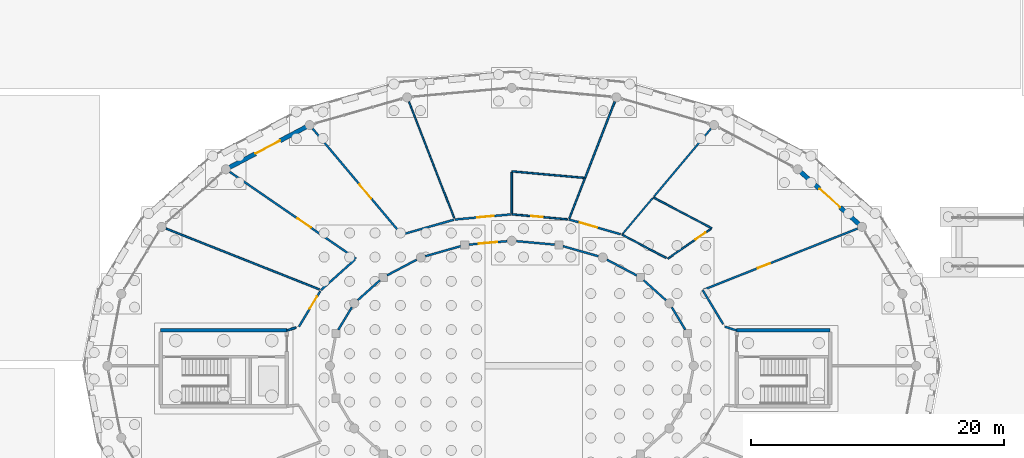
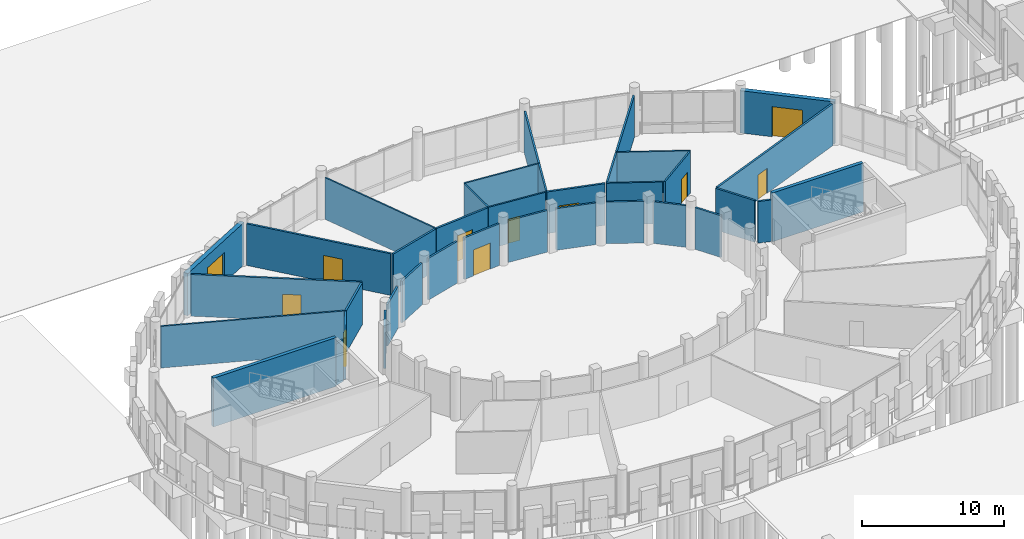
# One storey, part 81 of 98: 37 walls, 11 doors, 11 openings.
"""IFC4 building model written with IfcOpenShell, lengths in metres."""

import ifcopenshell
import ifcopenshell.guid

model = None  # the IFC model being written
_history = None  # IfcOwnerHistory: only IFC2X3 demands one
_inside = {}  # id of a spatial element -> (the spatial element, [elements in it])
_under = {}  # id of a project, library or spatial element -> (it, [spatial elements below it])
_declared = {}  # id of a project -> (the project, [libraries it declares])
_typed = {}  # id of a type object -> (the type object, [elements of that type])
_made_of = {}  # id of a material, layer set ... -> (it, [elements and type objects made of it])


def new_model(schema):
    """Start an empty IFC model of exactly this schema.

    Asked for "IFC4X3", IfcOpenShell would pick the latest addendum, in which some entities
    have other attributes; the version numbers below select the first issue.
    IFC2X3 requires an IfcOwnerHistory on every rooted entity: one is made here for all.
    """
    global model, _history
    if schema == "IFC4X3":
        model = ifcopenshell.file(schema_version=(4, 3, 0, 0))
    else:
        model = ifcopenshell.file(schema=schema)
    _inside.clear()
    _under.clear()
    _declared.clear()
    _typed.clear()
    _made_of.clear()
    _history = None
    if model.schema == "IFC2X3":
        org = make("IfcOrganization", Name="unknown")
        user = make(
            "IfcPersonAndOrganization",
            ThePerson=make("IfcPerson", FamilyName="unknown"),
            TheOrganization=org,
        )
        app = make(
            "IfcApplication",
            ApplicationDeveloper=org,
            Version="unknown",
            ApplicationFullName="unknown",
            ApplicationIdentifier="unknown",
        )
        _history = make(
            "IfcOwnerHistory",
            OwningUser=user,
            OwningApplication=app,
            ChangeAction="ADDED",
            CreationDate=0,
        )
    return model


def make(cls, **values):
    """One entity of the class cls with the attributes given. An attribute that is None is left unset."""
    return model.create_entity(
        cls, **{name: value for name, value in values.items() if value is not None}
    )


def rooted(cls, **values):
    """An entity with a GlobalId (a new one), such as an element, a storey or a relation."""
    return make(cls, GlobalId=ifcopenshell.guid.new(), OwnerHistory=_history, **values)


def si_unit(unit_type, name, prefix=None):
    """IfcSIUnit, for example si_unit("LENGTHUNIT", "METRE", prefix="MILLI")."""
    return make("IfcSIUnit", UnitType=unit_type, Prefix=prefix, Name=name)


def assignment(units):
    """IfcUnitAssignment: the units of a project."""
    return None if units is None else make("IfcUnitAssignment", Units=units)


def point(xyz):
    """IfcCartesianPoint."""
    return None if xyz is None else make("IfcCartesianPoint", Coordinates=xyz)


def direction(xyz):
    """IfcDirection."""
    return None if xyz is None else make("IfcDirection", DirectionRatios=xyz)


def frame(location, z_axis=None, x_axis=None):
    """IfcAxis2Placement3D, a coordinate frame: its origin and axes. An axis left out is left unset."""
    return make(
        "IfcAxis2Placement3D",
        Location=point(location),
        Axis=direction(z_axis),
        RefDirection=direction(x_axis),
    )


def frame_2d(location, x_axis=None):
    """IfcAxis2Placement2D, a coordinate frame in the plane: its origin and x axis."""
    return make(
        "IfcAxis2Placement2D", Location=point(location), RefDirection=direction(x_axis)
    )


def origin():
    """The frame at (0, 0, 0) with its axes left unset."""
    return frame((0.0, 0.0, 0.0))


def place(relative_to, where):
    """IfcLocalPlacement: puts the frame where relative to a parent placement (None: the world)."""
    return make(
        "IfcLocalPlacement", PlacementRelTo=relative_to, RelativePlacement=where
    )


def context(
    kind, dimensions, precision=None, world=None, true_north=None, identifier=None
):
    """IfcGeometricRepresentationContext, for example the 3D "Model" context."""
    return make(
        "IfcGeometricRepresentationContext",
        ContextIdentifier=identifier,
        ContextType=kind,
        CoordinateSpaceDimension=dimensions,
        Precision=precision,
        WorldCoordinateSystem=world,
        TrueNorth=true_north,
    )


def subcontext(parent, identifier, kind, view, scale=None):
    """IfcGeometricRepresentationSubContext, for example "Body" below "Model"."""
    return make(
        "IfcGeometricRepresentationSubContext",
        ContextIdentifier=identifier,
        ContextType=kind,
        ParentContext=parent,
        TargetScale=scale,
        TargetView=view,
    )


def project(units=None, contexts=None):
    """IfcProject with its units and contexts."""
    return rooted(
        "IfcProject",
        Name="project",
        RepresentationContexts=contexts,
        UnitsInContext=assignment(units),
    )


def spatial(cls, under=None, at=None, **own):
    """A site, building, storey or space (cls), placed at a placement, below another one or the project."""
    s = rooted(cls, ObjectPlacement=at, **own)
    if under is not None:
        _under.setdefault(under.id(), (under, []))[1].append(s)
    return s


def profile(cls, at=None, kind="AREA", **sizes):
    """A parametric profile (cls). Its sizes go by their IFC names, for example OverallWidth=200.0."""
    return make(cls, ProfileType=kind, Position=at, **sizes)


def rectangle(**sizes):
    """IfcRectangleProfileDef."""
    return profile("IfcRectangleProfileDef", **sizes)


def extrude(swept, where, along, depth):
    """IfcExtrudedAreaSolid: the profile swept, set in the frame where, extruded along a direction by depth."""
    return make(
        "IfcExtrudedAreaSolid",
        SweptArea=swept,
        Position=where,
        ExtrudedDirection=direction(along),
        Depth=depth,
    )


def shape(context_of_items, identifier, shape_type, items):
    """IfcShapeRepresentation: the items that make up one representation, for example the "Body"."""
    return make(
        "IfcShapeRepresentation",
        ContextOfItems=context_of_items,
        RepresentationIdentifier=identifier,
        RepresentationType=shape_type,
        Items=items,
    )


def material(Name=None, Category=None):
    """IfcMaterial."""
    return make("IfcMaterial", Name=Name, Category=Category)


def layer(
    of_material, thickness, ventilated=None, Name=None, Category=None, Priority=None
):
    """IfcMaterialLayer: one layer of a wall or slab, of a material (None: an air gap)."""
    return make(
        "IfcMaterialLayer",
        Material=of_material,
        LayerThickness=thickness,
        IsVentilated=ventilated,
        Name=Name,
        Category=Category,
        Priority=Priority,
    )


def layer_set(layers, Name=None):
    """IfcMaterialLayerSet."""
    return make("IfcMaterialLayerSet", MaterialLayers=layers, LayerSetName=Name)


def made_of(thing, what):
    """Note that an element or type object is made of a material, layer set ...; save() writes the relation."""
    if what is not None:
        _made_of.setdefault(what.id(), (what, []))[1].append(thing)
    return thing


def type_object(cls, material=None, **own):
    """A type object (cls), such as IfcWallType, which elements share."""
    return made_of(rooted(cls, **own), material)


def element(
    cls,
    number,
    at=None,
    inside=None,
    cuts=None,
    type_object=None,
    material=None,
    context=None,
    identifier="Body",
    shape_type=None,
    held_by="IfcProductDefinitionShape",
    body=None,
    shapes=None,
    **own,
):
    """One element of the class cls, such as IfcWall. Its Tag is "e" and its number.

    at: its placement. inside: the storey or other place that contains it. cuts: it is an
    opening in that element (IfcRelVoidsElement). A single representation is given by context,
    identifier, shape_type and body (its items); several are given by shapes. held_by: the class
    of the entity that holds the representations. save() writes the other relations.
    """
    e = rooted(cls, Tag="e%d" % number, ObjectPlacement=at, **own)
    if body is not None:
        shapes = [shape(context, identifier, shape_type, body)]
    if shapes is not None:
        e.Representation = make(held_by, Representations=shapes)
    if inside is not None:
        _inside.setdefault(inside.id(), (inside, []))[1].append(e)
    if cuts is not None:
        rooted(
            "IfcRelVoidsElement", RelatingBuildingElement=cuts, RelatedOpeningElement=e
        )
    if type_object is not None:
        _typed.setdefault(type_object.id(), (type_object, []))[1].append(e)
    return made_of(e, material)


def fill(opening, filler):
    """IfcRelFillsElement: the door or window that sits in an opening."""
    return rooted(
        "IfcRelFillsElement",
        RelatingOpeningElement=opening,
        RelatedBuildingElement=filler,
    )


def aggregate(whole, parts):
    """IfcRelAggregates: a whole, such as a stair, and the parts it consists of."""
    return rooted("IfcRelAggregates", RelatingObject=whole, RelatedObjects=parts)


def save(model, path):
    """Write the relations noted so far, then the file.

    IfcRelAggregates (storeys below a building ...), IfcRelContainedInSpatialStructure (elements
    in a storey), IfcRelDefinesByType, IfcRelAssociatesMaterial and IfcRelDeclares: one each for
    every whole, place, type object, material and project.
    """
    for whole, parts in _under.values():
        aggregate(whole, parts)
    for where, things in _inside.values():
        rooted(
            "IfcRelContainedInSpatialStructure",
            RelatedElements=things,
            RelatingStructure=where,
        )
    for kind, things in _typed.values():
        rooted("IfcRelDefinesByType", RelatedObjects=things, RelatingType=kind)
    for what, things in _made_of.values():
        rooted("IfcRelAssociatesMaterial", RelatedObjects=things, RelatingMaterial=what)
    for by, libraries in _declared.values():
        rooted("IfcRelDeclares", RelatingContext=by, RelatedDefinitions=libraries)
    model.write(path)


model = new_model("IFC4")

# Units and contexts
model_context = context("Model", 3, precision=1e-05, world=origin(), true_north=direction((0.0, 1.0)))
body_context = subcontext(model_context, "Body", "Model", "MODEL_VIEW")
ifc_project = project(units=[si_unit("LENGTHUNIT", "METRE"), si_unit("AREAUNIT", "SQUARE_METRE"), si_unit("VOLUMEUNIT", "CUBIC_METRE"), si_unit("PLANEANGLEUNIT", "RADIAN"), si_unit("MASSUNIT", "GRAM", prefix="KILO")], contexts=[model_context])

# Site, building, storey
site_placement = place(None, origin())
site = spatial("IfcSite", under=ifc_project, at=site_placement, CompositionType="ELEMENT")
building_placement = place(site_placement, origin())
building = spatial("IfcBuilding", under=site, at=building_placement, Name="Zornivar Specialist Clinic", CompositionType="ELEMENT")
storey_placement = place(building_placement, origin())
storey = spatial("IfcBuildingStorey", under=building, at=storey_placement, Name="L00", CompositionType="ELEMENT", Elevation=0.0)

# Wall, opening, door
ifc_material_1 = material(Name="Masonry Drum Limestone Portal Wall", Category="masonry")
ifc_layer_1 = layer(ifc_material_1, 0.35009765625)
ifc_layer_set_1 = layer_set([ifc_layer_1], Name="Masonry Drum Limestone Portal Wall")
wall_type_1 = type_object("IfcWallType", Name="EW-DRUM-350", PredefinedType="SOLIDWALL", material=ifc_layer_set_1)
wall_1_placement = place(storey_placement, frame((121.31298828125, 68.60009765625, 0.0), z_axis=(0.0, 0.0, 1.0), x_axis=(-0.744853105459, 0.66722848507, 0.0)))
wall_1 = element("IfcWall", 1, at=wall_1_placement, inside=storey, type_object=wall_type_1, Name="ew:V1:L00:c02", PredefinedType="SOLIDWALL", context=body_context, shape_type="SweptSolid", body=[
    extrude(rectangle(XDim=6.828125, YDim=0.35009765625, at=frame_2d((3.4140625, 0.0))), origin(), (0.0, 0.0, 1.0), 3.64990234375),
])
opening_1_placement = place(wall_1_placement, frame((2.31396484375, 0.0, 0.0)))
opening_1 = element("IfcOpeningElement", 2, at=opening_1_placement, cuts=wall_1, Name="Opening ED-01", PredefinedType="OPENING", context=body_context, shape_type="SweptSolid", body=[
    extrude(rectangle(XDim=2.199951171875, YDim=2.60009765625, at=frame_2d((1.10009765625, 1.300048828125))), frame((0.0, 0.18505859375, 0.0), z_axis=(0.0, -1.0, 0.0), x_axis=(1.0, 0.0, 0.0)), (0.0, 0.0, 1.0), 0.3701171875),
])
ifc_material_2 = material(Name="Thermally Broken Glazed Aluminium Door", Category="aluminium")
door_type_1 = type_object("IfcDoorType", Name="ED-MAIN-2200x2600", OperationType="NOTDEFINED", PredefinedType="DOOR", material=ifc_material_2)
door_1_placement = place(opening_1_placement, frame((2.199951171875, 0.0, 0.0), z_axis=(0.0, 0.0, 1.0), x_axis=(-1.0, 0.0, 0.0)))
door_1 = element("IfcDoor", 3, at=door_1_placement, inside=storey, type_object=door_type_1, Name="door:V1:L00:c02", OperationType="DOUBLE_DOOR_SINGLE_SWING", OverallHeight=2.60009765625, OverallWidth=2.199951171875, PredefinedType="DOOR", context=body_context, shape_type="SweptSolid", body=[
    extrude(rectangle(XDim=2.199951171875, YDim=2.60009765625, at=frame_2d((1.10009765625, 1.300048828125))), frame((0.0, 0.02490234375, 0.0), z_axis=(0.0, -1.0, 0.0), x_axis=(1.0, 0.0, 0.0)), (0.0, 0.0, 1.0), 0.050048828125),
])
fill(opening_1, door_1)

wall_2_placement = place(storey_placement, frame((77.60009765625, 76.653076171875, 0.0), z_axis=(0.0, 0.0, 1.0), x_axis=(-0.8844187475, -0.466694202954, 0.0)))
wall_2 = element("IfcWall", 4, at=wall_2_placement, inside=storey, type_object=wall_type_1, Name="ew:V1:L00:c08", PredefinedType="SOLIDWALL", context=body_context, shape_type="SweptSolid", body=[
    extrude(rectangle(XDim=7.4931640625, YDim=0.35009765625, at=frame_2d((3.74658203125, 0.0))), origin(), (0.0, 0.0, 1.0), 3.64990234375),
])
opening_2_placement = place(wall_2_placement, frame((2.64697265625, 0.0, 0.0)))
opening_2 = element("IfcOpeningElement", 5, at=opening_2_placement, cuts=wall_2, Name="Opening ED-01", PredefinedType="OPENING", context=body_context, shape_type="SweptSolid", body=[
    extrude(rectangle(XDim=2.199951171875, YDim=2.60009765625, at=frame_2d((1.10009765625, 1.300048828125))), frame((0.0, 0.18505859375, 0.0), z_axis=(0.0, -1.0, 0.0), x_axis=(1.0, 0.0, 0.0)), (0.0, 0.0, 1.0), 0.3701171875),
])
door_2_placement = place(opening_2_placement, frame((2.199951171875, 0.0, 0.0), z_axis=(0.0, 0.0, 1.0), x_axis=(-1.0, 0.0, 0.0)))
door_2 = element("IfcDoor", 6, at=door_2_placement, inside=storey, type_object=door_type_1, Name="door:V1:L00:c08", OperationType="DOUBLE_DOOR_SINGLE_SWING", OverallHeight=2.60009765625, OverallWidth=2.199951171875, PredefinedType="DOOR", context=body_context, shape_type="SweptSolid", body=[
    extrude(rectangle(XDim=2.199951171875, YDim=2.60009765625, at=frame_2d((1.10009765625, 1.300048828125))), frame((0.0, 0.02490234375, 0.0), z_axis=(0.0, -1.0, 0.0), x_axis=(1.0, 0.0, 0.0)), (0.0, 0.0, 1.0), 0.050048828125),
])
fill(opening_2, door_2)

# Walls
ifc_material_3 = material(Name="Acoustic Clinical Stud Partition")
ifc_layer_2 = layer(ifc_material_3, 0.139892578125)
ifc_layer_set_2 = layer_set([ifc_layer_2], Name="Acoustic Clinical Stud Partition")
wall_type_2 = type_object("IfcWallType", Name="IW-CLIN-140", PredefinedType="PARTITIONING", material=ifc_layer_set_2)
wall_3_placement = place(storey_placement, frame((109.362060546875, 76.3701171875, 0.0), z_axis=(0.0, 0.0, 1.0), x_axis=(-0.642983682644, -0.765879875603, 0.0)))
element("IfcWall", 7, at=wall_3_placement, inside=storey, type_object=wall_type_2, Name="iw:L00:032", PredefinedType="PARTITIONING", context=body_context, shape_type="SweptSolid", body=[
    extrude(rectangle(XDim=7.006591796875, YDim=0.139892578125, at=frame_2d((3.50341796875, 0.0))), origin(), (0.0, 0.0, 1.0), 3.590087890625),
])
wall_4_placement = place(storey_placement, frame((99.39892578125, 72.47900390625, 0.0), z_axis=(0.0, 0.0, 1.0), x_axis=(0.363214868858, 0.93170540357, 0.0)))
element("IfcWall", 8, at=wall_4_placement, inside=storey, type_object=wall_type_2, Name="iw:L00:035", PredefinedType="PARTITIONING", context=body_context, shape_type="SweptSolid", body=[
    extrude(rectangle(XDim=6.467529296875, YDim=0.139892578125, at=frame_2d((3.23388671875, 0.0))), origin(), (0.0, 0.0, 1.0), 3.590087890625),
])
wall_5_placement = place(storey_placement, frame((78.365966796875, 63.64697265625, 0.0), z_axis=(0.0, 0.0, 1.0), x_axis=(-0.929479211533, 0.368874498073, 0.0)))
element("IfcWall", 9, at=wall_5_placement, inside=storey, type_object=wall_type_2, Name="iw:L00:045", PredefinedType="PARTITIONING", context=body_context, shape_type="SweptSolid", body=[
    extrude(rectangle(XDim=13.0556640625, YDim=0.139892578125, at=frame_2d((6.52783203125, 0.0))), origin(), (0.0, 0.0, 1.0), 3.590087890625),
])
ifc_material_4 = material(Name="Gypsum Fire-Rated Double Stud Partition")
ifc_layer_3 = layer(ifc_material_4, 0.159912109375)
ifc_layer_set_3 = layer_set([ifc_layer_3], Name="Gypsum Fire-Rated Double Stud Partition")
wall_type_3 = type_object("IfcWallType", Name="IW-CORR-EI60-160", PredefinedType="PARTITIONING", material=ifc_layer_set_3)
wall_6_placement = place(storey_placement, frame((107.3359375, 60.448974609375, 0.0), z_axis=(0.0, 0.0, 1.0), x_axis=(-0.515771112958, 0.856726420182, 0.0)))
element("IfcWall", 10, at=wall_6_placement, inside=storey, type_object=wall_type_3, Name="iw:L00:001", PredefinedType="PARTITIONING", context=body_context, shape_type="SweptSolid", body=[
    extrude(rectangle(XDim=2.082275390625, YDim=0.159912109375, at=frame_2d((1.041015625, 0.0))), origin(), (0.0, 0.0, 1.0), 3.590087890625),
])
wall_7_placement = place(storey_placement, frame((105.794921875, 62.797119140625, 0.0), z_axis=(0.0, 0.0, 1.0), x_axis=(-0.744928255706, 0.667144582419, 0.0)))
element("IfcWall", 11, at=wall_7_placement, inside=storey, type_object=wall_type_3, Name="iw:L00:002", PredefinedType="PARTITIONING", context=body_context, shape_type="SweptSolid", body=[
    extrude(rectangle(XDim=2.36669921875, YDim=0.159912109375, at=frame_2d((1.183349609375, 0.0))), origin(), (0.0, 0.0, 1.0), 3.590087890625),
])
wall_8_placement = place(storey_placement, frame((103.486083984375, 64.756103515625, 0.0), z_axis=(0.0, 0.0, 1.0), x_axis=(-0.884419383508, 0.466692997672, 0.0)))
element("IfcWall", 12, at=wall_8_placement, inside=storey, type_object=wall_type_3, Name="iw:L00:003", PredefinedType="PARTITIONING", context=body_context, shape_type="SweptSolid", body=[
    extrude(rectangle(XDim=2.66748046875, YDim=0.159912109375, at=frame_2d((1.333740234375, 0.0))), origin(), (0.0, 0.0, 1.0), 3.590087890625),
])
wall_9_placement = place(storey_placement, frame((100.444091796875, 66.27490234375, 0.0), z_axis=(0.0, 0.0, 1.0), x_axis=(-0.961748689224, 0.273933310818, 0.0)))
element("IfcWall", 13, at=wall_9_placement, inside=storey, type_object=wall_type_3, Name="iw:L00:004", PredefinedType="PARTITIONING", context=body_context, shape_type="SweptSolid", body=[
    extrude(rectangle(XDim=2.90625, YDim=0.159912109375, at=frame_2d((1.453125, 0.0))), origin(), (0.0, 0.0, 1.0), 3.590087890625),
])
wall_10_placement = place(storey_placement, frame((96.992919921875, 67.193115234375, 0.0), z_axis=(0.0, 0.0, 1.0), x_axis=(-0.995924771152, 0.090187860632, 0.0)))
element("IfcWall", 14, at=wall_10_placement, inside=storey, type_object=wall_type_3, Name="iw:L00:005", PredefinedType="PARTITIONING", context=body_context, shape_type="SweptSolid", body=[
    extrude(rectangle(XDim=3.037353515625, YDim=0.159912109375, at=frame_2d((1.5185546875, 0.0))), origin(), (0.0, 0.0, 1.0), 3.590087890625),
])

# Wall, opening, door
wall_11_placement = place(storey_placement, frame((93.23193359375, 67.467041015625, 0.0), z_axis=(0.0, 0.0, 1.0), x_axis=(-0.995924771152, -0.090187860632, 0.0)))
wall_11 = element("IfcWall", 15, at=wall_11_placement, inside=storey, type_object=wall_type_3, Name="iw:L00:006", PredefinedType="PARTITIONING", context=body_context, shape_type="SweptSolid", body=[
    extrude(rectangle(XDim=3.037353515625, YDim=0.159912109375, at=frame_2d((1.5185546875, 0.0))), origin(), (0.0, 0.0, 1.0), 3.590087890625),
])
opening_3_placement = place(wall_11_placement, frame((0.7939453125, 0.0, 0.0)))
opening_3 = element("IfcOpeningElement", 16, at=opening_3_placement, cuts=wall_11, Name="Opening ID-11", PredefinedType="OPENING", context=body_context, shape_type="SweptSolid", body=[
    extrude(rectangle(XDim=1.449951171875, YDim=2.25, at=frame_2d((0.72509765625, 1.125))), frame((0.0, 0.08984375, 0.0), z_axis=(0.0, -1.0, 0.0), x_axis=(1.0, 0.0, 0.0)), (0.0, 0.0, 1.0), 0.179931640625),
])
ifc_material_5 = material(Name="Solid-Core Hygienic Laminate Timber Door", Category="wood")
door_type_2 = type_object("IfcDoorType", Name="ID-INFUS-1450x2250", OperationType="NOTDEFINED", PredefinedType="DOOR", material=ifc_material_5)
door_3_placement = place(opening_3_placement, origin())
door_3 = element("IfcDoor", 17, at=door_3_placement, inside=storey, type_object=door_type_2, Name="door:space:V1:L00:hall", OperationType="DOUBLE_DOOR_SINGLE_SWING", OverallHeight=2.25, OverallWidth=1.449951171875, PredefinedType="DOOR", context=body_context, shape_type="SweptSolid", body=[
    extrude(rectangle(XDim=1.449951171875, YDim=2.25, at=frame_2d((0.72509765625, 1.125))), frame((0.0, 0.02490234375, 0.0), z_axis=(0.0, -1.0, 0.0), x_axis=(1.0, 0.0, 0.0)), (0.0, 0.0, 1.0), 0.050048828125),
])
fill(opening_3, door_3)

# Walls
wall_12_placement = place(storey_placement, frame((89.551025390625, 67.071044921875, 0.0), z_axis=(0.0, 0.0, 1.0), x_axis=(-0.961742384931, -0.273955443506, 0.0)))
element("IfcWall", 18, at=wall_12_placement, inside=storey, type_object=wall_type_3, Name="iw:L00:007", PredefinedType="PARTITIONING", context=body_context, shape_type="SweptSolid", body=[
    extrude(rectangle(XDim=2.906005859375, YDim=0.159912109375, at=frame_2d((1.453125, 0.0))), origin(), (0.0, 0.0, 1.0), 3.590087890625),
])
wall_13_placement = place(storey_placement, frame((86.072998046875, 66.0009765625, 0.0), z_axis=(0.0, 0.0, 1.0), x_axis=(-0.884399446426, -0.46673077803, 0.0)))
element("IfcWall", 19, at=wall_13_placement, inside=storey, type_object=wall_type_3, Name="iw:L00:008", PredefinedType="PARTITIONING", context=body_context, shape_type="SweptSolid", body=[
    extrude(rectangle(XDim=2.667236328125, YDim=0.159912109375, at=frame_2d((1.33349609375, 0.0))), origin(), (0.0, 0.0, 1.0), 3.590087890625),
])
wall_14_placement = place(storey_placement, frame((83.16796875, 64.376953125, 0.0), z_axis=(0.0, 0.0, 1.0), x_axis=(-0.744723202555, -0.667373472335, 0.0)))
element("IfcWall", 20, at=wall_14_placement, inside=storey, type_object=wall_type_3, Name="iw:L00:009", PredefinedType="PARTITIONING", context=body_context, shape_type="SweptSolid", body=[
    extrude(rectangle(XDim=2.3671875, YDim=0.159912109375, at=frame_2d((1.18359375, 0.0))), origin(), (0.0, 0.0, 1.0), 3.590087890625),
])
wall_15_placement = place(storey_placement, frame((80.93798828125, 62.23291015625, 0.0), z_axis=(0.0, 0.0, 1.0), x_axis=(-0.515771112958, -0.856726420182, 0.0)))
element("IfcWall", 21, at=wall_15_placement, inside=storey, type_object=wall_type_3, Name="iw:L00:010", PredefinedType="PARTITIONING", context=body_context, shape_type="SweptSolid", body=[
    extrude(rectangle(XDim=2.082275390625, YDim=0.159912109375, at=frame_2d((1.041015625, 0.0))), origin(), (0.0, 0.0, 1.0), 3.590087890625),
])
wall_16_placement = place(storey_placement, frame((111.39990234375, 60.39990234375, 0.0), z_axis=(0.0, 0.0, 1.0), x_axis=(-0.953076237522, 0.302730384122, 0.0)))
element("IfcWall", 22, at=wall_16_placement, inside=storey, type_object=wall_type_3, Name="iw:L00:024", PredefinedType="PARTITIONING", context=body_context, shape_type="SweptSolid", body=[
    extrude(rectangle(XDim=1.000732421875, YDim=0.159912109375, at=frame_2d((0.50048828125, 0.0))), origin(), (0.0, 0.0, 1.0), 3.590087890625),
])
wall_17_placement = place(storey_placement, frame((110.325927734375, 60.903076171875, 0.0), z_axis=(0.0, 0.0, 1.0), x_axis=(-0.516060018324, 0.856552425417, 0.0)))
element("IfcWall", 23, at=wall_17_placement, inside=storey, type_object=wall_type_3, Name="iw:L00:025", PredefinedType="PARTITIONING", context=body_context, shape_type="SweptSolid", body=[
    extrude(rectangle(XDim=3.142822265625, YDim=0.159912109375, at=frame_2d((1.5712890625, 0.0))), origin(), (0.0, 0.0, 1.0), 3.590087890625),
])

# Wall, opening, door
wall_18_placement = place(storey_placement, frame((108.804931640625, 63.635009765625, 0.0), z_axis=(0.0, 0.0, 1.0), x_axis=(0.929435882849, 0.36898365773, 0.0)))
wall_18 = element("IfcWall", 24, at=wall_18_placement, inside=storey, type_object=wall_type_3, Name="iw:L00:026", PredefinedType="PARTITIONING", context=body_context, shape_type="SweptSolid", body=[
    extrude(rectangle(XDim=13.087646484375, YDim=0.159912109375, at=frame_2d((6.5439453125, 0.0))), origin(), (0.0, 0.0, 1.0), 3.590087890625),
])
opening_4_placement = place(wall_18_placement, frame((4.573974609375, 0.0, 0.0)))
opening_4 = element("IfcOpeningElement", 25, at=opening_4_placement, cuts=wall_18, Name="Opening ID-03", PredefinedType="OPENING", context=body_context, shape_type="SweptSolid", body=[
    extrude(rectangle(XDim=1.050048828125, YDim=2.14990234375, at=frame_2d((0.52490234375, 1.074951171875))), frame((0.0, 0.08984375, 0.0), z_axis=(0.0, -1.0, 0.0), x_axis=(1.0, 0.0, 0.0)), (0.0, 0.0, 1.0), 0.179931640625),
])
ifc_material_6 = material(Name="Solid-Core Hygienic Laminate Timber Door", Category="wood")
door_type_3 = type_object("IfcDoorType", Name="ID-CONS-1050x2150", OperationType="NOTDEFINED", PredefinedType="DOOR", material=ifc_material_6)
door_4_placement = place(opening_4_placement, origin())
door_4 = element("IfcDoor", 26, at=door_4_placement, inside=storey, type_object=door_type_3, Name="door:space:V1:L00:rm:01", OperationType="SINGLE_SWING_RIGHT", OverallHeight=2.14990234375, OverallWidth=1.050048828125, PredefinedType="DOOR", context=body_context, shape_type="SweptSolid", body=[
    extrude(rectangle(XDim=1.050048828125, YDim=2.14990234375, at=frame_2d((0.52490234375, 1.074951171875))), frame((0.0, 0.02490234375, 0.0), z_axis=(0.0, -1.0, 0.0), x_axis=(1.0, 0.0, 0.0)), (0.0, 0.0, 1.0), 0.050048828125),
])
fill(opening_4, door_4)

wall_19_placement = place(storey_placement, frame((102.201904296875, 68.01806640625, 0.0), z_axis=(0.0, 0.0, 1.0), x_axis=(-0.961841952324, 0.27360566286, 0.0)))
wall_19 = element("IfcWall", 27, at=wall_19_placement, inside=storey, type_object=wall_type_3, Name="iw:L00:033", PredefinedType="PARTITIONING", context=body_context, shape_type="SweptSolid", body=[
    extrude(rectangle(XDim=4.25, YDim=0.159912109375, at=frame_2d((2.125, 0.0))), origin(), (0.0, 0.0, 1.0), 3.590087890625),
])
opening_5_placement = place(wall_19_placement, frame((1.910888671875, 0.0, 0.0)))
opening_5 = element("IfcOpeningElement", 28, at=opening_5_placement, cuts=wall_19, Name="Opening ID-11", PredefinedType="OPENING", context=body_context, shape_type="SweptSolid", body=[
    extrude(rectangle(XDim=1.449951171875, YDim=2.25, at=frame_2d((0.72509765625, 1.125))), frame((0.0, 0.08984375, 0.0), z_axis=(0.0, -1.0, 0.0), x_axis=(1.0, 0.0, 0.0)), (0.0, 0.0, 1.0), 0.179931640625),
])
door_5_placement = place(opening_5_placement, origin())
door_5 = element("IfcDoor", 29, at=door_5_placement, inside=storey, type_object=door_type_2, Name="door:space:V1:L00:rm:03", OperationType="DOUBLE_DOOR_SINGLE_SWING", OverallHeight=2.25, OverallWidth=1.449951171875, PredefinedType="DOOR", context=body_context, shape_type="SweptSolid", body=[
    extrude(rectangle(XDim=1.449951171875, YDim=2.25, at=frame_2d((0.72509765625, 1.125))), frame((0.0, 0.02490234375, 0.0), z_axis=(0.0, -1.0, 0.0), x_axis=(1.0, 0.0, 0.0)), (0.0, 0.0, 1.0), 0.050048828125),
])
fill(opening_5, door_5)

wall_20_placement = place(storey_placement, frame((93.513916015625, 69.58203125, 0.0), z_axis=(0.0, 0.0, 1.0), x_axis=(-0.995921961863, -0.090218877617, 0.0)))
wall_20 = element("IfcWall", 30, at=wall_20_placement, inside=storey, type_object=wall_type_3, Name="iw:L00:039", PredefinedType="PARTITIONING", context=body_context, shape_type="SweptSolid", body=[
    extrude(rectangle(XDim=4.446044921875, YDim=0.159912109375, at=frame_2d((2.22314453125, 0.0))), origin(), (0.0, 0.0, 1.0), 3.590087890625),
])
opening_6_placement = place(wall_20_placement, frame((1.35400390625, 0.0, 0.0)))
opening_6 = element("IfcOpeningElement", 31, at=opening_6_placement, cuts=wall_20, Name="Opening ID-13", PredefinedType="OPENING", context=body_context, shape_type="SweptSolid", body=[
    extrude(rectangle(XDim=1.300048828125, YDim=2.25, at=frame_2d((0.64990234375, 1.125))), frame((0.0, 0.08984375, 0.0), z_axis=(0.0, -1.0, 0.0), x_axis=(1.0, 0.0, 0.0)), (0.0, 0.0, 1.0), 0.179931640625),
])
ifc_material_7 = material(Name="Solid-Core Hygienic Laminate Timber Door", Category="wood")
door_type_4 = type_object("IfcDoorType", Name="ID-RECOV-1300x2250", OperationType="NOTDEFINED", PredefinedType="DOOR", material=ifc_material_7)
door_6_placement = place(opening_6_placement, origin())
door_6 = element("IfcDoor", 32, at=door_6_placement, inside=storey, type_object=door_type_4, Name="door:space:V1:L00:rm:05", OperationType="SINGLE_SWING_RIGHT", OverallHeight=2.25, OverallWidth=1.300048828125, PredefinedType="DOOR", context=body_context, shape_type="SweptSolid", body=[
    extrude(rectangle(XDim=1.300048828125, YDim=2.25, at=frame_2d((0.64990234375, 1.125))), frame((0.0, 0.02490234375, 0.0), z_axis=(0.0, -1.0, 0.0), x_axis=(1.0, 0.0, 0.0)), (0.0, 0.0, 1.0), 0.050048828125),
])
fill(opening_6, door_6)

# Wall
wall_21_placement = place(storey_placement, frame((89.007080078125, 69.158935546875, 0.0), z_axis=(0.0, 0.0, 1.0), x_axis=(-0.961779014387, -0.273826820245, 0.0)))
element("IfcWall", 33, at=wall_21_placement, inside=storey, type_object=wall_type_3, Name="iw:L00:041", PredefinedType="PARTITIONING", context=body_context, shape_type="SweptSolid", body=[
    extrude(rectangle(XDim=4.291259765625, YDim=0.159912109375, at=frame_2d((2.1455078125, 0.0))), origin(), (0.0, 0.0, 1.0), 3.590087890625),
])

# Wall, opening, door
wall_22_placement = place(storey_placement, frame((84.791015625, 68.090087890625, 0.0), z_axis=(0.0, 0.0, 1.0), x_axis=(-0.643078226154, 0.765800492978, 0.0)))
wall_22 = element("IfcWall", 34, at=wall_22_placement, inside=storey, type_object=wall_type_3, Name="iw:L00:042", PredefinedType="PARTITIONING", context=body_context, shape_type="SweptSolid", body=[
    extrude(rectangle(XDim=10.812255859375, YDim=0.159912109375, at=frame_2d((5.40625, 0.0))), origin(), (0.0, 0.0, 1.0), 3.590087890625),
])
opening_7_placement = place(wall_22_placement, frame((3.60107421875, 0.0, 0.0)))
opening_7 = element("IfcOpeningElement", 35, at=opening_7_placement, cuts=wall_22, Name="Opening ID-11", PredefinedType="OPENING", context=body_context, shape_type="SweptSolid", body=[
    extrude(rectangle(XDim=1.449951171875, YDim=2.25, at=frame_2d((0.72509765625, 1.125))), frame((0.0, 0.08984375, 0.0), z_axis=(0.0, -1.0, 0.0), x_axis=(1.0, 0.0, 0.0)), (0.0, 0.0, 1.0), 0.179931640625),
])
door_7_placement = place(opening_7_placement, origin())
door_7 = element("IfcDoor", 36, at=door_7_placement, inside=storey, type_object=door_type_2, Name="door:space:V1:L00:rm:06", OperationType="DOUBLE_DOOR_SINGLE_SWING", OverallHeight=2.25, OverallWidth=1.449951171875, PredefinedType="DOOR", context=body_context, shape_type="SweptSolid", body=[
    extrude(rectangle(XDim=1.449951171875, YDim=2.25, at=frame_2d((0.72509765625, 1.125))), frame((0.0, 0.02490234375, 0.0), z_axis=(0.0, -1.0, 0.0), x_axis=(1.0, 0.0, 0.0)), (0.0, 0.0, 1.0), 0.050048828125),
])
fill(opening_7, door_7)

wall_23_placement = place(storey_placement, frame((71.278076171875, 72.946044921875, 0.0), z_axis=(0.0, 0.0, 1.0), x_axis=(0.824040161424, -0.566531386915, 0.0)))
wall_23 = element("IfcWall", 37, at=wall_23_placement, inside=storey, type_object=wall_type_3, Name="iw:L00:043", PredefinedType="PARTITIONING", context=body_context, shape_type="SweptSolid", body=[
    extrude(rectangle(XDim=12.123291015625, YDim=0.159912109375, at=frame_2d((6.0615234375, 0.0))), origin(), (0.0, 0.0, 1.0), 3.590087890625),
])
opening_8_placement = place(wall_23_placement, frame((6.493896484375, 0.0, 0.0)))
opening_8 = element("IfcOpeningElement", 38, at=opening_8_placement, cuts=wall_23, Name="Opening ID-13", PredefinedType="OPENING", context=body_context, shape_type="SweptSolid", body=[
    extrude(rectangle(XDim=1.300048828125, YDim=2.25, at=frame_2d((0.64990234375, 1.125))), frame((0.0, 0.08984375, 0.0), z_axis=(0.0, -1.0, 0.0), x_axis=(1.0, 0.0, 0.0)), (0.0, 0.0, 1.0), 0.179931640625),
])
door_8_placement = place(opening_8_placement, origin())
door_8 = element("IfcDoor", 39, at=door_8_placement, inside=storey, type_object=door_type_4, Name="door:space:V1:L00:rm:07", OperationType="SINGLE_SWING_RIGHT", OverallHeight=2.25, OverallWidth=1.300048828125, PredefinedType="DOOR", context=body_context, shape_type="SweptSolid", body=[
    extrude(rectangle(XDim=1.300048828125, YDim=2.25, at=frame_2d((0.64990234375, 1.125))), frame((0.0, 0.02490234375, 0.0), z_axis=(0.0, -1.0, 0.0), x_axis=(1.0, 0.0, 0.0)), (0.0, 0.0, 1.0), 0.050048828125),
])
fill(opening_8, door_8)

# Wall
wall_24_placement = place(storey_placement, frame((81.180908203125, 66.0009765625, 0.0), z_axis=(0.0, 0.0, 1.0), x_axis=(-0.744716826209, -0.667380587641, 0.0)))
element("IfcWall", 40, at=wall_24_placement, inside=storey, type_object=wall_type_3, Name="iw:L00:044", PredefinedType="PARTITIONING", context=body_context, shape_type="SweptSolid", body=[
    extrude(rectangle(XDim=3.605224609375, YDim=0.159912109375, at=frame_2d((1.802734375, 0.0))), origin(), (0.0, 0.0, 1.0), 3.590087890625),
])

# Wall, opening, door
wall_25_placement = place(storey_placement, frame((78.445068359375, 63.510986328125, 0.0), z_axis=(0.0, 0.0, 1.0), x_axis=(-0.515907945316, -0.856644028731, 0.0)))
wall_25 = element("IfcWall", 41, at=wall_25_placement, inside=storey, type_object=wall_type_3, Name="iw:L00:047", PredefinedType="PARTITIONING", context=body_context, shape_type="SweptSolid", body=[
    extrude(rectangle(XDim=3.278076171875, YDim=0.159912109375, at=frame_2d((1.63916015625, 0.0))), origin(), (0.0, 0.0, 1.0), 3.590087890625),
])
opening_9_placement = place(wall_25_placement, frame((0.47998046875, 0.0, 0.0)))
opening_9 = element("IfcOpeningElement", 42, at=opening_9_placement, cuts=wall_25, Name="Opening ID-06", PredefinedType="OPENING", context=body_context, shape_type="SweptSolid", body=[
    extrude(rectangle(XDim=1.14990234375, YDim=2.25, at=frame_2d((0.574951171875, 1.125))), frame((0.0, 0.08984375, 0.0), z_axis=(0.0, -1.0, 0.0), x_axis=(1.0, 0.0, 0.0)), (0.0, 0.0, 1.0), 0.179931640625),
])
ifc_material_8 = material(Name="Solid-Core Hygienic Laminate Timber Door", Category="wood")
door_type_5 = type_object("IfcDoorType", Name="ID-LAB-1150x2250", OperationType="NOTDEFINED", PredefinedType="DOOR", material=ifc_material_8)
door_9_placement = place(opening_9_placement, origin())
door_9 = element("IfcDoor", 43, at=door_9_placement, inside=storey, type_object=door_type_5, Name="door:space:V1:L00:rm:08", OperationType="SINGLE_SWING_LEFT", OverallHeight=2.25, OverallWidth=1.14990234375, PredefinedType="DOOR", context=body_context, shape_type="SweptSolid", body=[
    extrude(rectangle(XDim=1.14990234375, YDim=2.25, at=frame_2d((0.574951171875, 1.125))), frame((0.0, 0.02490234375, 0.0), z_axis=(0.0, -1.0, 0.0), x_axis=(1.0, 0.0, 0.0)), (0.0, 0.0, 1.0), 0.050048828125),
])
fill(opening_9, door_9)

# Walls
wall_26_placement = place(storey_placement, frame((76.531982421875, 60.632080078125, 0.0), z_axis=(0.0, 0.0, 1.0), x_axis=(-0.953192648892, -0.302363645463, 0.0)))
element("IfcWall", 44, at=wall_26_placement, inside=storey, type_object=wall_type_3, Name="iw:L00:048", PredefinedType="PARTITIONING", context=body_context, shape_type="SweptSolid", body=[
    extrude(rectangle(XDim=0.767822265625, YDim=0.159912109375, at=frame_2d((0.3837890625, 0.0))), origin(), (0.0, 0.0, 1.0), 3.590087890625),
])
ifc_material_9 = material(Name="Acoustic Glazed Consultation Partition")
ifc_layer_4 = layer(ifc_material_9, 0.1201171875)
ifc_layer_set_4 = layer_set([ifc_layer_4], Name="Acoustic Glazed Consultation Partition")
wall_type_4 = type_object("IfcWallType", Name="IW-GLAZ-120", PredefinedType="PARTITIONING", material=ifc_layer_set_4)
wall_27_placement = place(storey_placement, frame((89.0439453125, 69.2880859375, 0.0), z_axis=(0.0, 0.0, 1.0), x_axis=(-0.363125045758, 0.931740415107, 0.0)))
element("IfcWall", 45, at=wall_27_placement, inside=storey, type_object=wall_type_4, Name="iw:L00:040", PredefinedType="PARTITIONING", context=body_context, shape_type="SweptSolid", body=[
    extrude(rectangle(XDim=9.89208984375, YDim=0.1201171875, at=frame_2d((4.946044921875, 0.0))), origin(), (0.0, 0.0, 1.0), 3.590087890625),
])
ifc_material_10 = material(Name="Moisture-Resistant Sanitary Partition")
ifc_layer_5 = layer(ifc_material_10, 0.1298828125)
ifc_layer_set_5 = layer_set([ifc_layer_5], Name="Moisture-Resistant Sanitary Partition")
wall_type_5 = type_object("IfcWallType", Name="IW-WET-130", PredefinedType="PARTITIONING", material=ifc_layer_set_5)
wall_28_placement = place(storey_placement, frame((104.794921875, 70.930908203125, 0.0), z_axis=(0.0, 0.0, 1.0), x_axis=(0.884501669722, -0.466537025603, 0.0)))
element("IfcWall", 46, at=wall_28_placement, inside=storey, type_object=wall_type_5, Name="iw:L00:028", PredefinedType="PARTITIONING", context=body_context, shape_type="SweptSolid", body=[
    extrude(rectangle(XDim=5.242431640625, YDim=0.1298828125, at=frame_2d((2.62109375, 0.0))), origin(), (0.0, 0.0, 1.0), 3.590087890625),
])

# Wall, opening, door
wall_29_placement = place(storey_placement, frame((109.330078125, 68.4150390625, 0.0), z_axis=(0.0, 0.0, 1.0), x_axis=(-0.823940006946, -0.56667703761, 0.0)))
wall_29 = element("IfcWall", 47, at=wall_29_placement, inside=storey, type_object=wall_type_5, Name="iw:L00:029", PredefinedType="PARTITIONING", context=body_context, shape_type="SweptSolid", body=[
    extrude(rectangle(XDim=4.124267578125, YDim=0.1298828125, at=frame_2d((2.06201171875, 0.0))), origin(), (0.0, 0.0, 1.0), 3.590087890625),
])
opening_10_placement = place(wall_29_placement, frame((0.47998046875, 0.0, 0.0)))
opening_10 = element("IfcOpeningElement", 48, at=opening_10_placement, cuts=wall_29, Name="Opening ID-07", PredefinedType="OPENING", context=body_context, shape_type="SweptSolid", body=[
    extrude(rectangle(XDim=0.949951171875, YDim=2.10009765625, at=frame_2d((0.47509765625, 1.050048828125))), frame((0.0, 0.074951171875, 0.0), z_axis=(0.0, -1.0, 0.0), x_axis=(1.0, 0.0, 0.0)), (0.0, 0.0, 1.0), 0.14990234375),
])
ifc_material_11 = material(Name="Solid-Core Hygienic Laminate Timber Door", Category="wood")
door_type_6 = type_object("IfcDoorType", Name="ID-WC-ACC-0950x2100", OperationType="NOTDEFINED", PredefinedType="DOOR", material=ifc_material_11)
door_10_placement = place(opening_10_placement, origin())
door_10 = element("IfcDoor", 49, at=door_10_placement, inside=storey, type_object=door_type_6, Name="door:space:V1:L00:rm:02", OperationType="SINGLE_SWING_LEFT", OverallHeight=2.10009765625, OverallWidth=0.949951171875, PredefinedType="DOOR", context=body_context, shape_type="SweptSolid", body=[
    extrude(rectangle(XDim=0.949951171875, YDim=2.10009765625, at=frame_2d((0.47509765625, 1.050048828125))), frame((0.0, 0.02490234375, 0.0), z_axis=(0.0, -1.0, 0.0), x_axis=(1.0, 0.0, 0.0)), (0.0, 0.0, 1.0), 0.050048828125),
])
fill(opening_10, door_10)

# Walls
wall_30_placement = place(storey_placement, frame((105.822998046875, 66.135986328125, 0.0), z_axis=(0.0, 0.0, 1.0), x_axis=(-0.884475212642, 0.466587181802, 0.0)))
element("IfcWall", 50, at=wall_30_placement, inside=storey, type_object=wall_type_5, Name="iw:L00:030", PredefinedType="PARTITIONING", context=body_context, shape_type="SweptSolid", body=[
    extrude(rectangle(XDim=3.96044921875, YDim=0.1298828125, at=frame_2d((1.980224609375, 0.0))), origin(), (0.0, 0.0, 1.0), 3.590087890625),
])
wall_31_placement = place(storey_placement, frame((102.381103515625, 68.056884765625, 0.0), z_axis=(0.0, 0.0, 1.0), x_axis=(0.643179564641, 0.765715382912, 0.0)))
element("IfcWall", 51, at=wall_31_placement, inside=storey, type_object=wall_type_5, Name="iw:L00:031", PredefinedType="PARTITIONING", context=body_context, shape_type="SweptSolid", body=[
    extrude(rectangle(XDim=3.657958984375, YDim=0.1298828125, at=frame_2d((1.8291015625, 0.0))), origin(), (0.0, 0.0, 1.0), 3.590087890625),
])
wall_32_placement = place(storey_placement, frame((98.15087890625, 69.27490234375, 0.0), z_axis=(0.0, 0.0, 1.0), x_axis=(0.36304782486, 0.931770506543, 0.0)))
element("IfcWall", 52, at=wall_32_placement, inside=storey, type_object=wall_type_5, Name="iw:L00:034", PredefinedType="PARTITIONING", context=body_context, shape_type="SweptSolid", body=[
    extrude(rectangle(XDim=3.427001953125, YDim=0.1298828125, at=frame_2d((1.71337890625, 0.0))), origin(), (0.0, 0.0, 1.0), 3.590087890625),
])
wall_33_placement = place(storey_placement, frame((93.60009765625, 72.992919921875, 0.0), z_axis=(0.0, 0.0, 1.0), x_axis=(0.995929211202, -0.090138816686, 0.0)))
element("IfcWall", 53, at=wall_33_placement, inside=storey, type_object=wall_type_5, Name="iw:L00:036", PredefinedType="PARTITIONING", context=body_context, shape_type="SweptSolid", body=[
    extrude(rectangle(XDim=5.712158203125, YDim=0.1298828125, at=frame_2d((2.85595703125, 0.0))), origin(), (0.0, 0.0, 1.0), 3.590087890625),
])

# Wall, opening, door
wall_34_placement = place(storey_placement, frame((98.012939453125, 69.18994140625, 0.0), z_axis=(0.0, 0.0, 1.0), x_axis=(-0.995913955271, 0.090307218406, 0.0)))
wall_34 = element("IfcWall", 54, at=wall_34_placement, inside=storey, type_object=wall_type_5, Name="iw:L00:037", PredefinedType="PARTITIONING", context=body_context, shape_type="SweptSolid", body=[
    extrude(rectangle(XDim=4.430908203125, YDim=0.1298828125, at=frame_2d((2.21533203125, 0.0))), origin(), (0.0, 0.0, 1.0), 3.590087890625),
])
opening_11_placement = place(wall_34_placement, frame((1.97998046875, 0.0, 0.0)))
opening_11 = element("IfcOpeningElement", 55, at=opening_11_placement, cuts=wall_34, Name="Opening ID-08", PredefinedType="OPENING", context=body_context, shape_type="SweptSolid", body=[
    extrude(rectangle(XDim=0.89990234375, YDim=2.10009765625, at=frame_2d((0.449951171875, 1.050048828125))), frame((0.0, 0.074951171875, 0.0), z_axis=(0.0, -1.0, 0.0), x_axis=(1.0, 0.0, 0.0)), (0.0, 0.0, 1.0), 0.14990234375),
])
ifc_material_12 = material(Name="Solid-Core Hygienic Laminate Timber Door", Category="wood")
door_type_7 = type_object("IfcDoorType", Name="ID-WC-STD-0900x2100", OperationType="NOTDEFINED", PredefinedType="DOOR", material=ifc_material_12)
door_11_placement = place(opening_11_placement, origin())
door_11 = element("IfcDoor", 56, at=door_11_placement, inside=storey, type_object=door_type_7, Name="door:space:V1:L00:rm:04", OperationType="SINGLE_SWING_LEFT", OverallHeight=2.10009765625, OverallWidth=0.89990234375, PredefinedType="DOOR", context=body_context, shape_type="SweptSolid", body=[
    extrude(rectangle(XDim=0.89990234375, YDim=2.10009765625, at=frame_2d((0.449951171875, 1.050048828125))), frame((0.0, 0.02490234375, 0.0), z_axis=(0.0, -1.0, 0.0), x_axis=(1.0, 0.0, 0.0)), (0.0, 0.0, 1.0), 0.050048828125),
])
fill(opening_11, door_11)

# Walls
wall_35_placement = place(storey_placement, frame((93.60009765625, 69.675048828125, 0.0), z_axis=(0.0, 0.0, 1.0), x_axis=(0.0, 1.0, 0.0)))
element("IfcWall", 57, at=wall_35_placement, inside=storey, type_object=wall_type_5, Name="iw:L00:038", PredefinedType="PARTITIONING", context=body_context, shape_type="SweptSolid", body=[
    extrude(rectangle(XDim=3.23291015625, YDim=0.1298828125, at=frame_2d((1.616455078125, 0.0))), origin(), (0.0, 0.0, 1.0), 3.590087890625),
])
ifc_material_13 = material(Name="Concrete C35/45", Category="concrete")
ifc_layer_6 = layer(ifc_material_13, 0.280029296875)
ifc_layer_set_6 = layer_set([ifc_layer_6], Name="Concrete C35/45")
wall_type_6 = type_object("IfcWallType", Name="SW-CORE-280", PredefinedType="SHEAR", material=ifc_layer_set_6)
wall_36_placement = place(storey_placement, frame((75.800048828125, 60.39990234375, 0.0), z_axis=(0.0, 0.0, 1.0), x_axis=(-1.0, 0.0, 0.0)))
element("IfcWall", 58, at=wall_36_placement, inside=storey, type_object=wall_type_6, Name="sw:C3:L00:w2", PredefinedType="SHEAR", context=body_context, shape_type="SweptSolid", body=[
    extrude(rectangle(XDim=10.0, YDim=0.280029296875, at=frame_2d((5.0, 0.0))), origin(), (0.0, 0.0, 1.0), 4.2099609375),
])
wall_37_placement = place(storey_placement, frame((118.800048828125, 60.39990234375, 0.0), z_axis=(0.0, 0.0, 1.0), x_axis=(-1.0, 0.0, 0.0)))
element("IfcWall", 59, at=wall_37_placement, inside=storey, type_object=wall_type_6, Name="sw:C4:L00:w2", PredefinedType="SHEAR", context=body_context, shape_type="SweptSolid", body=[
    extrude(rectangle(XDim=7.400146484375, YDim=0.280029296875, at=frame_2d((3.7001953125, 0.0))), origin(), (0.0, 0.0, 1.0), 4.2099609375),
])

save(model, "model.ifc")
